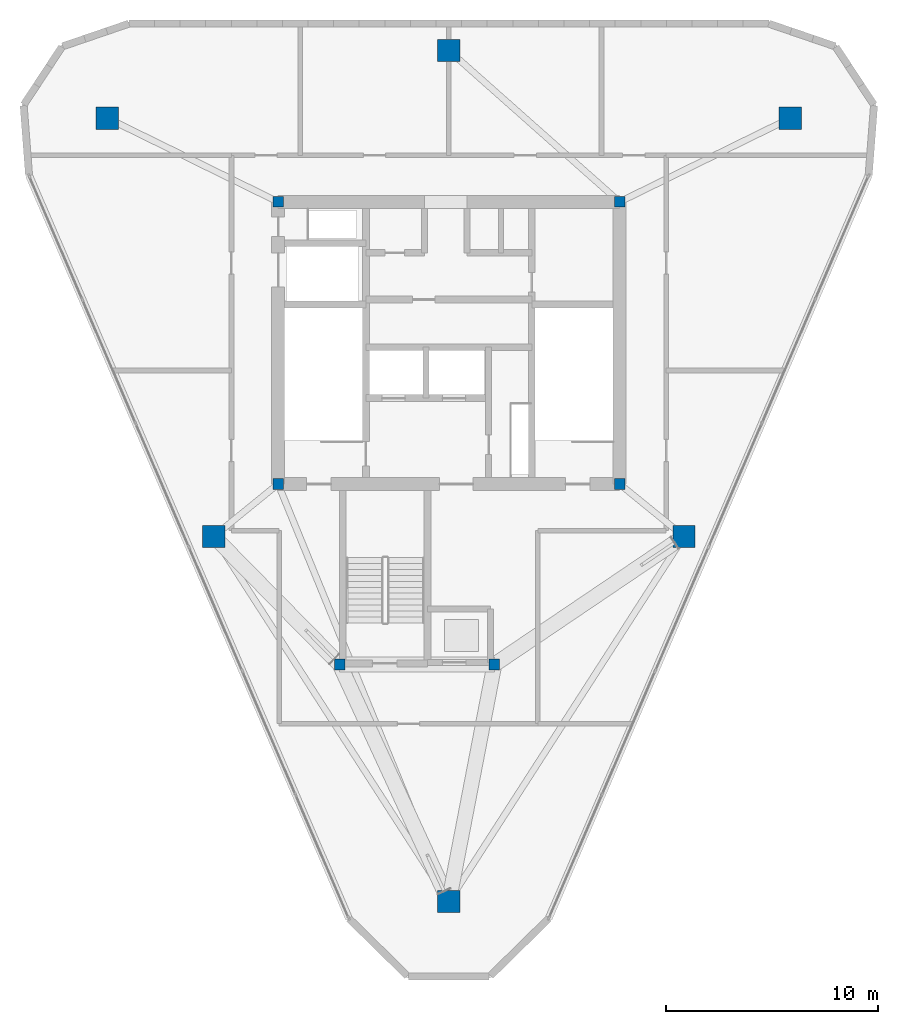
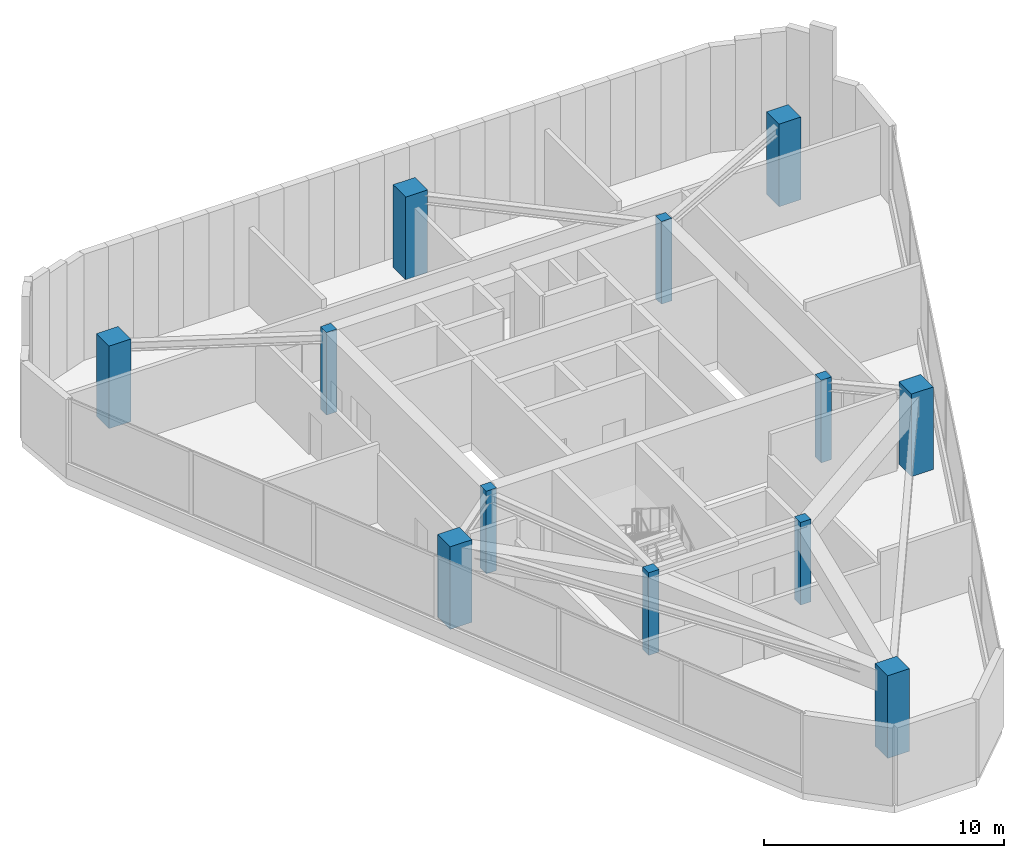
# One storey, part 1 of 9: 12 columns.
"""IFC4 building model written with IfcOpenShell, lengths in metres."""

from ifc_helpers import new_model, si_unit, direction, frame, origin, origin_2d, place, context, subcontext, project, spatial, rectangle, extrude, material, material_profile, profile_set, type_object, element, save


model = new_model("IFC4")

# Units and contexts
model_context = context("Model", 3, precision=1e-05, world=origin(), true_north=direction((0.0, 1.0)))
body_context = subcontext(model_context, "Body", "Model", "MODEL_VIEW")
ifc_project = project(units=[si_unit("LENGTHUNIT", "METRE"), si_unit("AREAUNIT", "SQUARE_METRE"), si_unit("VOLUMEUNIT", "CUBIC_METRE"), si_unit("PLANEANGLEUNIT", "RADIAN"), si_unit("MASSUNIT", "GRAM", prefix="KILO")], contexts=[model_context])

# Site, building, storey
site_placement = place(None, origin())
site = spatial("IfcSite", under=ifc_project, at=site_placement, CompositionType="ELEMENT")
building_placement = place(site_placement, origin())
building = spatial("IfcBuilding", under=site, at=building_placement, Name="Talyreon Biosciences Tower", CompositionType="ELEMENT")
storey_placement = place(building_placement, frame((0.0, 0.0, 317.199951171875)))
storey = spatial("IfcBuildingStorey", under=building, at=storey_placement, Name="L84", CompositionType="ELEMENT", Elevation=317.199951171875)

# Columns
ifc_material = material(Name="Concrete C50/60", Category="concrete")
ifc_material_profile_1 = material_profile(ifc_material, rectangle(XDim=0.5, YDim=0.5, at=origin_2d()), Name="RC 500x500")
ifc_profile_set_1 = profile_set([ifc_material_profile_1], Name="Concrete C50/60")
column_type_1 = type_object("IfcColumnType", Name="CrownColumn_500", PredefinedType="COLUMN", material=ifc_profile_set_1)
for number, where, z_axis, x_axis, name in (
    (1, (57.949951171875, 61.35009765625, 0.0), (0.0, 0.0, 1.0), (1.0, 0.0, 0.0), "L84 Core Column CC1"),
    (2, (74.050048828125, 61.35009765625, 0.0), (0.0, 0.0, 1.0), (1.0, 0.0, 0.0), "L84 Core Column CC2"),
    (3, (74.050048828125, 74.64990234375, 0.0), (0.0, 0.0, 1.0), (1.0, 0.0, 0.0), "L84 Core Column CC3"),
    (4, (57.949951171875, 74.64990234375, 0.0), (0.0, 0.0, 1.0), (1.0, 0.0, 0.0), "L84 Core Column CC4"),
    (5, (60.85009765625, 52.840087890625, 0.0), (0.0, 0.0, 1.0), (1.0, 0.0, 0.0), "L84 Core Column CSW"),
    (6, (68.14990234375, 52.840087890625, 0.0), (0.0, 0.0, 1.0), (1.0, 0.0, 0.0), "L84 Core Column CSE"),
):
    element("IfcColumn", number, at=place(storey_placement, frame(where, z_axis=z_axis, x_axis=x_axis)), inside=storey, type_object=column_type_1, Name=name, PredefinedType="COLUMN", context=body_context, shape_type="SweptSolid", body=[
        extrude(rectangle(XDim=0.5, YDim=0.5, at=origin_2d()), origin(), (0.0, 0.0, 1.0), 4.199951171875),
    ])
ifc_material_profile_2 = material_profile(ifc_material, rectangle(XDim=1.050048828125, YDim=1.050048828125, at=origin_2d()), Name="RC 1050x1050")
ifc_profile_set_2 = profile_set([ifc_material_profile_2], Name="Concrete C50/60")
column_type_2 = type_object("IfcColumnType", Name="MegaColumn_1050", PredefinedType="COLUMN", material=ifc_profile_set_2)
for number, where, z_axis, x_axis, name in (
    (7, (66.0, 41.6669921875, 0.0), (0.0, 0.0, 1.0), (1.0, 0.0, 0.0), "L84 Composite Mega-Column MC1"),
    (8, (82.102294921875, 78.5986328125, 0.0), (0.0, 0.0, 1.0), (1.0, 0.0, 0.0), "L84 Composite Mega-Column MC2"),
    (9, (49.897705078125, 78.5986328125, 0.0), (0.0, 0.0, 1.0), (1.0, 0.0, 0.0), "L84 Composite Mega-Column MC3"),
    (10, (77.086181640625, 58.88037109375, 0.0), (0.0, 0.0, 1.0), (1.0, 0.0, 0.0), "L84 Composite Mega-Column MC4"),
    (11, (66.0, 81.788818359375, 0.0), (0.0, 0.0, 1.0), (1.0, 0.0, 0.0), "L84 Composite Mega-Column MC5"),
    (12, (54.913818359375, 58.88037109375, 0.0), (0.0, 0.0, 1.0), (1.0, 0.0, 0.0), "L84 Composite Mega-Column MC6"),
):
    element("IfcColumn", number, at=place(storey_placement, frame(where, z_axis=z_axis, x_axis=x_axis)), inside=storey, type_object=column_type_2, Name=name, PredefinedType="COLUMN", context=body_context, shape_type="SweptSolid", body=[
        extrude(rectangle(XDim=1.050048828125, YDim=1.050048828125, at=origin_2d()), origin(), (0.0, 0.0, 1.0), 4.199951171875),
    ])

save(model, "model.ifc")
